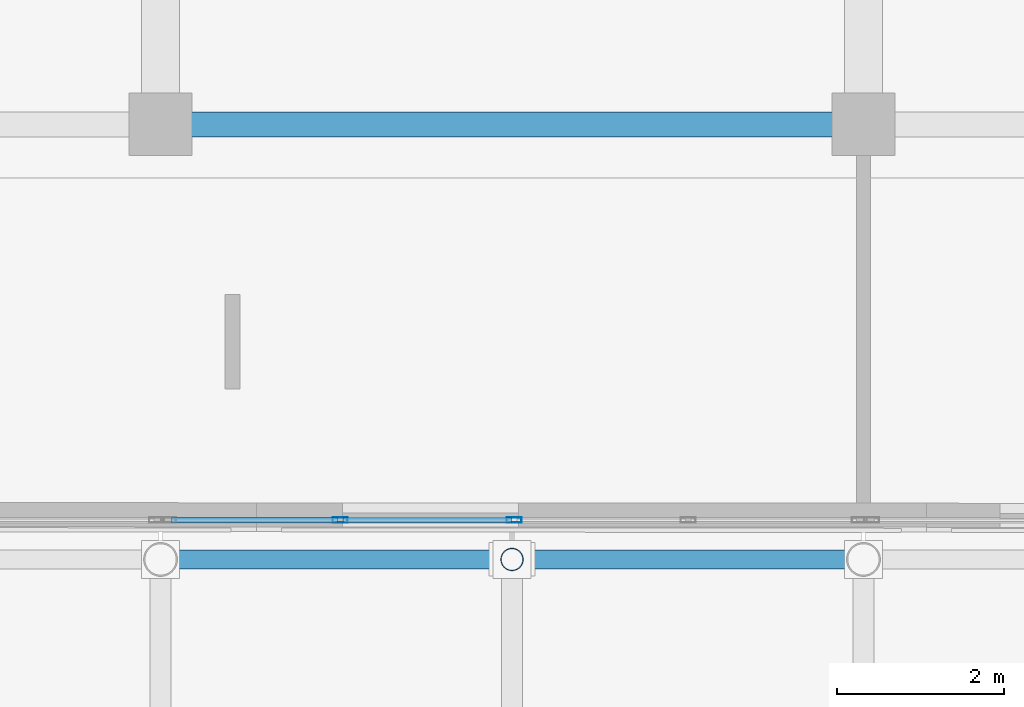
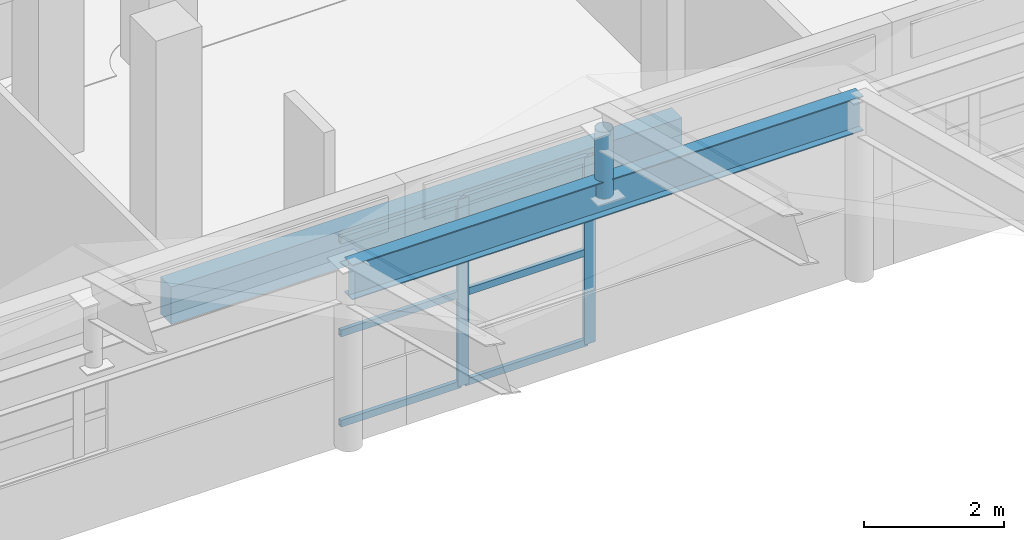
# One storey, part 85 of 184: 9 members, 2 beams, 1 element without a shape of its own.
"""IFC4 building model written with IfcOpenShell, lengths in metres."""

from ifc_helpers import new_model, si_unit, direction, frame, origin, origin_2d, place, context, subcontext, project, spatial, rectangle, hollow_rectangle, hollow_circle, i_section, extrude, material, material_profile, profile_set, type_object, element, aggregate, save


model = new_model("IFC4")

# Units and contexts
model_context = context("Model", 3, precision=1e-05, world=origin(), true_north=direction((0.0, 1.0)))
body_context = subcontext(model_context, "Body", "Model", "MODEL_VIEW")
ifc_project = project(units=[si_unit("LENGTHUNIT", "METRE"), si_unit("AREAUNIT", "SQUARE_METRE"), si_unit("VOLUMEUNIT", "CUBIC_METRE"), si_unit("PLANEANGLEUNIT", "RADIAN"), si_unit("MASSUNIT", "GRAM", prefix="KILO")], contexts=[model_context])

# Site, building, storey
site_placement = place(None, origin())
site = spatial("IfcSite", under=ifc_project, at=site_placement, CompositionType="ELEMENT")
building_placement = place(site_placement, origin())
building = spatial("IfcBuilding", under=site, at=building_placement, Name="Selatvlak General Hospital", CompositionType="ELEMENT")
storey_placement = place(building_placement, frame((0.0, 0.0, 15.0)))
storey = spatial("IfcBuildingStorey", under=building, at=storey_placement, Name="L03", CompositionType="ELEMENT", Elevation=15.0)

# Beams
ifc_material_1 = material(Name="Steel S355", Category="steel")
ifc_material_profile_1 = material_profile(ifc_material_1, i_section(OverallWidth=0.228271484375, OverallDepth=0.607666015625, WebThickness=0.010986328125, FlangeThickness=0.017333984375, at=origin_2d()), Name="UB 610x229x113")
ifc_profile_set_1 = profile_set([ifc_material_profile_1], Name="Steel S355")
beam_type_1 = type_object("IfcBeamType", Name="BM-RF4", PredefinedType="BEAM", material=ifc_profile_set_1)
beam_1_placement = place(storey_placement, frame((56.39990234375, 83.449951171875, 2.87109375), z_axis=(1.0, 0.0, 0.0), x_axis=(0.0, 1.0, 0.0)))
element("IfcBeam", 1, at=beam_1_placement, inside=storey, type_object=beam_type_1, Name="Folded roof N valley girder 5", PredefinedType="BEAM", context=body_context, shape_type="SweptSolid", body=[
    extrude(i_section(OverallWidth=0.228271484375, OverallDepth=0.607666015625, WebThickness=0.010986328125, FlangeThickness=0.017333984375, at=origin_2d()), origin(), (0.0, 0.0, 1.0), 8.400146484375),
])
ifc_material_2 = material(Name="Concrete C40/50", Category="concrete")
ifc_material_profile_2 = material_profile(ifc_material_2, rectangle(XDim=0.300048828125, YDim=0.64990234375, at=origin_2d()), Name="RC-SP 300x650")
ifc_profile_set_2 = profile_set([ifc_material_profile_2], Name="Concrete C40/50")
beam_type_2 = type_object("IfcBeamType", Name="BM-SP1", PredefinedType="SPANDREL", material=ifc_profile_set_2)
beam_2_placement = place(storey_placement, frame((56.39990234375, 88.64990234375, -0.6650390625), z_axis=(1.0, 0.0, 0.0), x_axis=(0.0, 1.0, 0.0)))
element("IfcBeam", 2, at=beam_2_placement, inside=storey, type_object=beam_type_2, Name="Beam BMR-L03-1187", PredefinedType="SPANDREL", context=body_context, shape_type="SweptSolid", body=[
    extrude(rectangle(XDim=0.300048828125, YDim=0.64990234375, at=origin_2d()), origin(), (0.0, 0.0, 1.0), 8.400146484375),
])

# Curtain wall, members
ifc_material_3 = material(Name="Solar-control Low-E double glazing", Category="glass")
curtain_wall_type = type_object("IfcCurtainWallType", Name="CW-CW-04", PredefinedType="USERDEFINED", material=ifc_material_3)
curtain_wall_placement = place(storey_placement, origin())
curtain_wall = element("IfcCurtainWall", 3, at=curtain_wall_placement, inside=storey, type_object=curtain_wall_type, Name="Glazed facade curtain wall CW-L03-0720", ObjectType="STICK GLAZING WALL", PredefinedType="USERDEFINED")
ifc_material_4 = material(Name="Dark anodised aluminium mullion", Category="aluminium")
ifc_material_profile_3 = material_profile(ifc_material_4, hollow_rectangle(XDim=0.06494140625, YDim=0.179931640625, WallThickness=0.00439453125, at=origin_2d()), Name="AL-MUL 65x180x4.5")
ifc_profile_set_3 = profile_set([ifc_material_profile_3], Name="Dark anodised aluminium mullion")
member_type_1 = type_object("IfcMemberType", Name="CWM-02", PredefinedType="MULLION", material=ifc_profile_set_3)
member_1_placement = place(storey_placement, frame((58.544921875, 83.919921875, 0.0), z_axis=(0.0, 0.0, 1.0), x_axis=(0.0, 1.0, 0.0)))
member_1 = element("IfcMember", 4, at=member_1_placement, type_object=member_type_1, Name="CW-04 mullion 2", PredefinedType="MULLION", context=body_context, shape_type="SweptSolid", body=[
    extrude(hollow_rectangle(XDim=0.06494140625, YDim=0.179931640625, WallThickness=0.00439453125, at=origin_2d()), origin(), (0.0, 0.0, 1.0), 3.25),
])
member_2_placement = place(storey_placement, frame((60.625, 83.919921875, 0.0), z_axis=(0.0, 0.0, 1.0), x_axis=(0.0, 1.0, 0.0)))
member_2 = element("IfcMember", 5, at=member_2_placement, type_object=member_type_1, Name="CW-04 mullion 3", PredefinedType="MULLION", context=body_context, shape_type="SweptSolid", body=[
    extrude(hollow_rectangle(XDim=0.06494140625, YDim=0.179931640625, WallThickness=0.00439453125, at=origin_2d()), origin(), (0.0, 0.0, 1.0), 3.25),
])
ifc_material_profile_4 = material_profile(ifc_material_4, hollow_rectangle(XDim=0.06494140625, YDim=0.1201171875, WallThickness=0.00390625, at=origin_2d()), Name="AL-TRN 65x120x4")
ifc_profile_set_4 = profile_set([ifc_material_profile_4], Name="Dark anodised aluminium mullion")
member_type_2 = type_object("IfcMemberType", Name="CWT-01", PredefinedType="USERDEFINED", material=ifc_profile_set_4)
member_3_placement = place(storey_placement, frame((56.530029296875, 83.919921875, 0.032470703125), z_axis=(1.0, 0.0, 0.0), x_axis=(0.0, 1.0, 0.0)))
member_3 = element("IfcMember", 6, at=member_3_placement, type_object=member_type_2, Name="CW-04 transom 1.1", ObjectType="TRANSOM", PredefinedType="USERDEFINED", context=body_context, shape_type="SweptSolid", body=[
    extrude(hollow_rectangle(XDim=0.06494140625, YDim=0.1201171875, WallThickness=0.00390625, at=origin_2d()), origin(), (0.0, 0.0, 1.0), 1.982421875),
])
member_4_placement = place(storey_placement, frame((56.530029296875, 83.919921875, 1.60009765625), z_axis=(1.0, 0.0, 0.0), x_axis=(0.0, 1.0, 0.0)))
member_4 = element("IfcMember", 7, at=member_4_placement, type_object=member_type_2, Name="CW-04 transom 1.2", ObjectType="TRANSOM", PredefinedType="USERDEFINED", context=body_context, shape_type="SweptSolid", body=[
    extrude(hollow_rectangle(XDim=0.06494140625, YDim=0.1201171875, WallThickness=0.00390625, at=origin_2d()), origin(), (0.0, 0.0, 1.0), 1.982421875),
])
member_5_placement = place(storey_placement, frame((56.530029296875, 83.919921875, 3.217529296875), z_axis=(1.0, 0.0, 0.0), x_axis=(0.0, 1.0, 0.0)))
member_5 = element("IfcMember", 8, at=member_5_placement, type_object=member_type_2, Name="CW-04 transom 1.3", ObjectType="TRANSOM", PredefinedType="USERDEFINED", context=body_context, shape_type="SweptSolid", body=[
    extrude(hollow_rectangle(XDim=0.06494140625, YDim=0.1201171875, WallThickness=0.00390625, at=origin_2d()), origin(), (0.0, 0.0, 1.0), 1.982421875),
])
member_6_placement = place(storey_placement, frame((58.577392578125, 83.919921875, 0.032470703125), z_axis=(1.0, 0.0, 0.0), x_axis=(0.0, 1.0, 0.0)))
member_6 = element("IfcMember", 9, at=member_6_placement, type_object=member_type_2, Name="CW-04 transom 2.1", ObjectType="TRANSOM", PredefinedType="USERDEFINED", context=body_context, shape_type="SweptSolid", body=[
    extrude(hollow_rectangle(XDim=0.06494140625, YDim=0.1201171875, WallThickness=0.00390625, at=origin_2d()), origin(), (0.0, 0.0, 1.0), 2.01513671875),
])
member_7_placement = place(storey_placement, frame((58.577392578125, 83.919921875, 1.60009765625), z_axis=(1.0, 0.0, 0.0), x_axis=(0.0, 1.0, 0.0)))
member_7 = element("IfcMember", 10, at=member_7_placement, type_object=member_type_2, Name="CW-04 transom 2.2", ObjectType="TRANSOM", PredefinedType="USERDEFINED", context=body_context, shape_type="SweptSolid", body=[
    extrude(hollow_rectangle(XDim=0.06494140625, YDim=0.1201171875, WallThickness=0.00390625, at=origin_2d()), origin(), (0.0, 0.0, 1.0), 2.01513671875),
])
member_8_placement = place(storey_placement, frame((58.577392578125, 83.919921875, 3.217529296875), z_axis=(1.0, 0.0, 0.0), x_axis=(0.0, 1.0, 0.0)))
member_8 = element("IfcMember", 11, at=member_8_placement, type_object=member_type_2, Name="CW-04 transom 2.3", ObjectType="TRANSOM", PredefinedType="USERDEFINED", context=body_context, shape_type="SweptSolid", body=[
    extrude(hollow_rectangle(XDim=0.06494140625, YDim=0.1201171875, WallThickness=0.00390625, at=origin_2d()), origin(), (0.0, 0.0, 1.0), 2.01513671875),
])
aggregate(curtain_wall, [member_1, member_2, member_3, member_4, member_5, member_6, member_7, member_8])

# Member
ifc_material_profile_5 = material_profile(ifc_material_1, hollow_circle(Radius=0.136474609375, WallThickness=0.010009765625, at=origin_2d()), Name="CHS 273.0x10")
ifc_profile_set_5 = profile_set([ifc_material_profile_5], Name="Steel S355")
member_type_3 = type_object("IfcMemberType", Name="MEM-ST1", PredefinedType="STRUT", material=ifc_profile_set_5)
member_9_placement = place(storey_placement, frame((60.60009765625, 83.449951171875, 2.87109375), z_axis=(0.0, 0.0, 1.0), x_axis=(1.0, 0.0, 0.0)))
element("IfcMember", 12, at=member_9_placement, inside=storey, type_object=member_type_3, Name="Folded roof ridge kingpost N-9", PredefinedType="STRUT", context=body_context, shape_type="SweptSolid", body=[
    extrude(hollow_circle(Radius=0.136474609375, WallThickness=0.010009765625, at=origin_2d()), origin(), (0.0, 0.0, 1.0), 1.161865234375),
])

save(model, "model.ifc")
